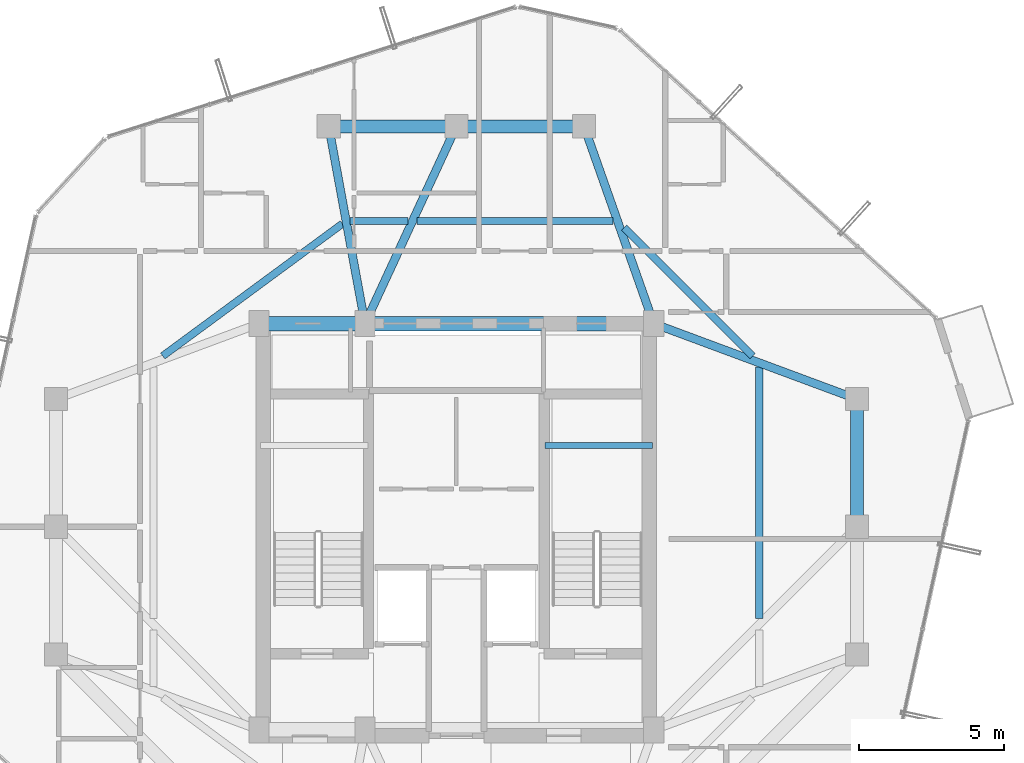
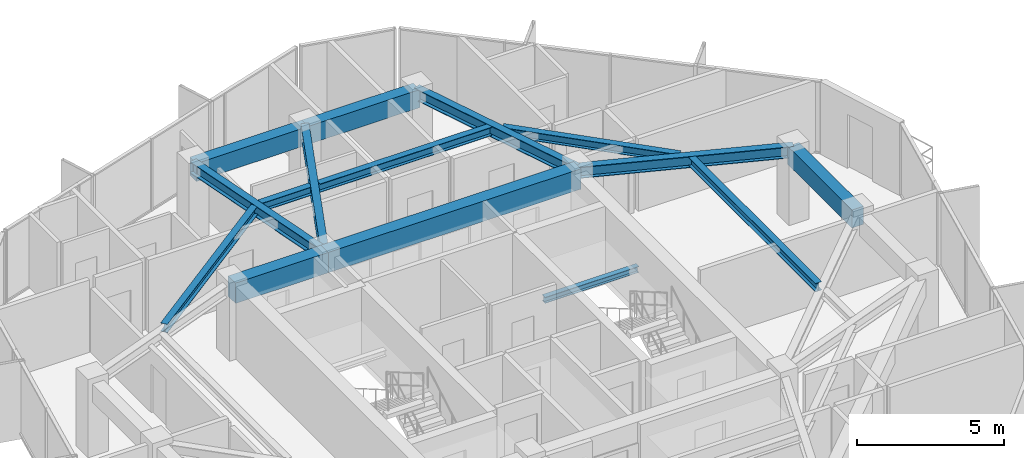
# One storey, part 14 of 28: 15 beams.
"""IFC4 building model written with IfcOpenShell, lengths in metres."""

from ifc_helpers import new_model, si_unit, direction, frame, origin, origin_2d, place, context, subcontext, project, spatial, rectangle, i_section, extrude, material, material_profile, profile_set, type_object, element, save


model = new_model("IFC4")

# Units and contexts
model_context = context("Model", 3, precision=1e-05, world=origin(), true_north=direction((0.0, 1.0)))
body_context = subcontext(model_context, "Body", "Model", "MODEL_VIEW")
ifc_project = project(units=[si_unit("LENGTHUNIT", "METRE"), si_unit("AREAUNIT", "SQUARE_METRE"), si_unit("VOLUMEUNIT", "CUBIC_METRE"), si_unit("PLANEANGLEUNIT", "RADIAN"), si_unit("MASSUNIT", "GRAM", prefix="KILO")], contexts=[model_context])

# Site, building, storey
site_placement = place(None, origin())
site = spatial("IfcSite", under=ifc_project, at=site_placement, CompositionType="ELEMENT")
building_placement = place(site_placement, origin())
building = spatial("IfcBuilding", under=site, at=building_placement, Name="Veraguas Prism Commons", CompositionType="ELEMENT")
storey_placement = place(building_placement, frame((0.0, 0.0, 251.25)))
storey = spatial("IfcBuildingStorey", under=building, at=storey_placement, Name="L71", CompositionType="ELEMENT", Elevation=251.25)

# Beams
ifc_material_1 = material(Name="Concrete C50/60", Category="concrete")
ifc_material_profile_1 = material_profile(ifc_material_1, rectangle(XDim=0.5, YDim=0.85009765625, at=origin_2d()), Name="RC500X850")
ifc_profile_set_1 = profile_set([ifc_material_profile_1], Name="Concrete C50/60")
beam_type_1 = type_object("IfcBeamType", Name="Core Coupling Beam RC 500x850", PredefinedType="BEAM", material=ifc_profile_set_1)
beam_1_placement = place(storey_placement, frame((17.199951171875, 31.0, 2.590087890625), z_axis=(1.0, 0.0, 0.0), x_axis=(0.0, 1.0, 0.0)))
element("IfcBeam", 1, at=beam_1_placement, inside=storey, type_object=beam_type_1, Name="Core Coupling Beam L71-CRN1", PredefinedType="BEAM", context=body_context, shape_type="SweptSolid", body=[
    extrude(rectangle(XDim=0.5, YDim=0.85009765625, at=origin_2d()), origin(), (0.0, 0.0, 1.0), 3.650146484375),
])
beam_2_placement = place(storey_placement, frame((20.85009765625, 31.0, 2.590087890625), z_axis=(1.0, 0.0, 0.0), x_axis=(0.0, 1.0, 0.0)))
element("IfcBeam", 2, at=beam_2_placement, inside=storey, type_object=beam_type_1, Name="Core Coupling Beam L71-CRN2", PredefinedType="BEAM", context=body_context, shape_type="SweptSolid", body=[
    extrude(rectangle(XDim=0.5, YDim=0.85009765625, at=origin_2d()), origin(), (0.0, 0.0, 1.0), 9.949951171875),
])
ifc_material_profile_2 = material_profile(ifc_material_1, rectangle(XDim=0.449951171875, YDim=0.75, at=origin_2d()), Name="RC450X750")
ifc_profile_set_2 = profile_set([ifc_material_profile_2], Name="Concrete C50/60")
beam_type_2 = type_object("IfcBeamType", Name="Perimeter Spandrel Upper RC 450x750", PredefinedType="SPANDREL", material=ifc_profile_set_2)
for number, where, z_axis, x_axis, name in (
    (3, (37.800048828125, 24.0, 2.639892578125), (0.0, 1.0, 0.0), (-1.0, 0.0, 0.0), "Perimeter Spandrel Beam L71-SP02"),
    (4, (28.39990234375, 37.800048828125, 2.639892578125), (-1.0, 0.0, 0.0), (0.0, -1.0, 0.0), "Perimeter Spandrel Beam L71-SP04"),
    (5, (24.0, 37.800048828125, 2.639892578125), (-1.0, 0.0, 0.0), (0.0, -1.0, 0.0), "Perimeter Spandrel Beam L71-SP05"),
):
    element("IfcBeam", number, at=place(storey_placement, frame(where, z_axis=z_axis, x_axis=x_axis)), inside=storey, type_object=beam_type_2, Name=name, PredefinedType="SPANDREL", context=body_context, shape_type="SweptSolid", body=[
        extrude(rectangle(XDim=0.449951171875, YDim=0.75, at=origin_2d()), origin(), (0.0, 0.0, 1.0), 4.39990234375),
    ])
ifc_material_2 = material(Name="Steel ASTM A992 Grade 50", Category="steel")
ifc_material_profile_3 = material_profile(ifc_material_2, i_section(OverallWidth=0.202880859375, OverallDepth=0.251953125, WebThickness=0.008056640625, FlangeThickness=0.013427734375, at=origin_2d()), Name="W250X58")
ifc_profile_set_3 = profile_set([ifc_material_profile_3], Name="Steel ASTM A992 Grade 50")
beam_type_3 = type_object("IfcBeamType", Name="Structural Opening Lintel W250x58", PredefinedType="LINTEL", material=ifc_profile_set_3)
beam_3_placement = place(storey_placement, frame((27.050048828125, 26.800048828125, 1.299072265625), z_axis=(1.0, 0.0, 0.0), x_axis=(0.0, 1.0, 0.0)))
element("IfcBeam", 6, at=beam_3_placement, inside=storey, type_object=beam_type_3, Name="Stair ST-02 Half-Landing Support Beam L71-1", PredefinedType="LINTEL", context=body_context, shape_type="SweptSolid", body=[
    extrude(i_section(OverallWidth=0.202880859375, OverallDepth=0.251953125, WebThickness=0.008056640625, FlangeThickness=0.013427734375, at=origin_2d()), origin(), (0.0, 0.0, 1.0), 3.699951171875),
])
ifc_material_profile_4 = material_profile(ifc_material_2, i_section(OverallWidth=0.25390625, OverallDepth=0.35302734375, WebThickness=0.009521484375, FlangeThickness=0.016357421875, at=origin_2d()), Name="W360X91")
ifc_profile_set_4 = profile_set([ifc_material_profile_4], Name="Steel ASTM A992 Grade 50")
beam_type_4 = type_object("IfcBeamType", Name="Upper Floor Joist W360x91", PredefinedType="JOIST", material=ifc_profile_set_4)
beam_4_placement = place(storey_placement, frame((34.43994140625, 20.83740234375, 2.83837890625), z_axis=(0.0, 1.0, 0.0), x_axis=(-1.0, 0.0, 0.0)))
element("IfcBeam", 7, at=beam_4_placement, inside=storey, type_object=beam_type_4, Name="Composite Floor Joist L71-JS02", PredefinedType="JOIST", context=body_context, shape_type="SweptSolid", body=[
    extrude(i_section(OverallWidth=0.25390625, OverallDepth=0.35302734375, WebThickness=0.009521484375, FlangeThickness=0.016357421875, at=origin_2d()), origin(), (0.0, 0.0, 1.0), 8.661865234375),
])
beam_5_placement = place(storey_placement, frame((34.203369140625, 29.884765625, 2.83837890625), z_axis=(-0.707126297541, 0.707087264294, 0.0), x_axis=(-0.707087264294, -0.707126297541, 0.0)))
element("IfcBeam", 8, at=beam_5_placement, inside=storey, type_object=beam_type_4, Name="Composite Floor Joist L71-JS03", PredefinedType="JOIST", context=body_context, shape_type="SweptSolid", body=[
    extrude(i_section(OverallWidth=0.25390625, OverallDepth=0.35302734375, WebThickness=0.009521484375, FlangeThickness=0.016357421875, at=origin_2d()), origin(), (0.0, 0.0, 1.0), 6.254638671875),
])
beam_6_placement = place(storey_placement, frame((29.404052734375, 34.535888671875, 2.83837890625), z_axis=(-1.0, 0.0, 0.0), x_axis=(0.0, -1.0, 0.0)))
element("IfcBeam", 9, at=beam_6_placement, inside=storey, type_object=beam_type_4, Name="Composite Floor Joist L71-JS04", PredefinedType="JOIST", context=body_context, shape_type="SweptSolid", body=[
    extrude(i_section(OverallWidth=0.25390625, OverallDepth=0.35302734375, WebThickness=0.009521484375, FlangeThickness=0.016357421875, at=origin_2d()), origin(), (0.0, 0.0, 1.0), 6.762451171875),
])
beam_7_placement = place(storey_placement, frame((22.334228515625, 34.535888671875, 2.83837890625), z_axis=(-1.0, 0.0, 0.0), x_axis=(0.0, -1.0, 0.0)))
element("IfcBeam", 10, at=beam_7_placement, inside=storey, type_object=beam_type_4, Name="Composite Floor Joist L71-JS05", PredefinedType="JOIST", context=body_context, shape_type="SweptSolid", body=[
    extrude(i_section(OverallWidth=0.25390625, OverallDepth=0.35302734375, WebThickness=0.009521484375, FlangeThickness=0.016357421875, at=origin_2d()), origin(), (0.0, 0.0, 1.0), 1.992431640625),
])
beam_8_placement = place(storey_placement, frame((20.0751953125, 34.444091796875, 2.83837890625), z_axis=(-0.805319835229, -0.592840588174, 0.0), x_axis=(0.592840588174, -0.805319835229, 0.0)))
element("IfcBeam", 11, at=beam_8_placement, inside=storey, type_object=beam_type_4, Name="Composite Floor Joist L71-JS06", PredefinedType="JOIST", context=body_context, shape_type="SweptSolid", body=[
    extrude(i_section(OverallWidth=0.25390625, OverallDepth=0.35302734375, WebThickness=0.009521484375, FlangeThickness=0.016357421875, at=origin_2d()), origin(), (0.0, 0.0, 1.0), 7.69140625),
])
ifc_material_profile_5 = material_profile(ifc_material_2, i_section(OverallWidth=0.282958984375, OverallDepth=0.471923828125, WebThickness=0.013671875, FlangeThickness=0.022216796875, at=origin_2d()), Name="W460X144")
ifc_profile_set_5 = profile_set([ifc_material_profile_5], Name="Steel ASTM A992 Grade 50")
beam_type_5 = type_object("IfcBeamType", Name="Zone 4 Radial Girder W460x144", PredefinedType="BEAM", material=ifc_profile_set_5)
beam_9_placement = place(storey_placement, frame((37.800048828125, 28.39990234375, 2.779052734375), z_axis=(-0.937421003341, 0.348198021958, 0.0), x_axis=(-0.348198021958, -0.937421003341, 0.0)))
element("IfcBeam", 12, at=beam_9_placement, inside=storey, type_object=beam_type_5, Name="Radial Floor Girder L71-RD03", PredefinedType="BEAM", context=body_context, shape_type="SweptSolid", body=[
    extrude(i_section(OverallWidth=0.282958984375, OverallDepth=0.471923828125, WebThickness=0.013671875, FlangeThickness=0.022216796875, at=origin_2d()), origin(), (0.0, 0.0, 1.0), 7.46728515625),
])
beam_10_placement = place(storey_placement, frame((28.39990234375, 37.800048828125, 2.779052734375), z_axis=(0.332836055941, -0.942984708182, 0.0), x_axis=(0.942984708182, 0.332836055941, 0.0)))
element("IfcBeam", 13, at=beam_10_placement, inside=storey, type_object=beam_type_5, Name="Radial Floor Girder L71-RD04", PredefinedType="BEAM", context=body_context, shape_type="SweptSolid", body=[
    extrude(i_section(OverallWidth=0.282958984375, OverallDepth=0.471923828125, WebThickness=0.013671875, FlangeThickness=0.022216796875, at=origin_2d()), origin(), (0.0, 0.0, 1.0), 7.211181640625),
])
beam_11_placement = place(storey_placement, frame((24.0, 37.800048828125, 2.779052734375), z_axis=(-0.420313834543, -0.907378796585, 0.0), x_axis=(0.907378796585, -0.420313834543, 0.0)))
element("IfcBeam", 14, at=beam_11_placement, inside=storey, type_object=beam_type_5, Name="Radial Floor Girder L71-RD05", PredefinedType="BEAM", context=body_context, shape_type="SweptSolid", body=[
    extrude(i_section(OverallWidth=0.282958984375, OverallDepth=0.471923828125, WebThickness=0.013671875, FlangeThickness=0.022216796875, at=origin_2d()), origin(), (0.0, 0.0, 1.0), 7.494140625),
])
beam_12_placement = place(storey_placement, frame((19.60009765625, 37.800048828125, 2.779052734375), z_axis=(0.180793033327, -0.983521163524, 0.0), x_axis=(0.983521163524, 0.180793033327, 0.0)))
element("IfcBeam", 15, at=beam_12_placement, inside=storey, type_object=beam_type_5, Name="Radial Floor Girder L71-RD06", PredefinedType="BEAM", context=body_context, shape_type="SweptSolid", body=[
    extrude(i_section(OverallWidth=0.282958984375, OverallDepth=0.471923828125, WebThickness=0.013671875, FlangeThickness=0.022216796875, at=origin_2d()), origin(), (0.0, 0.0, 1.0), 6.9140625),
])

save(model, "model.ifc")
